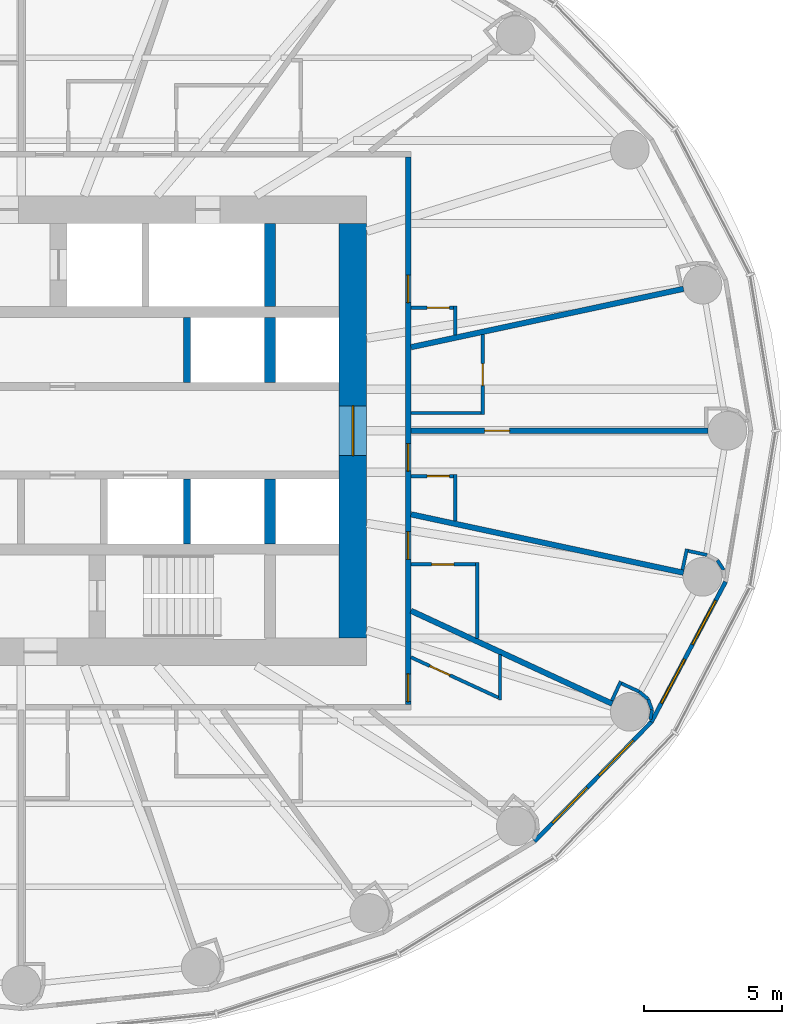
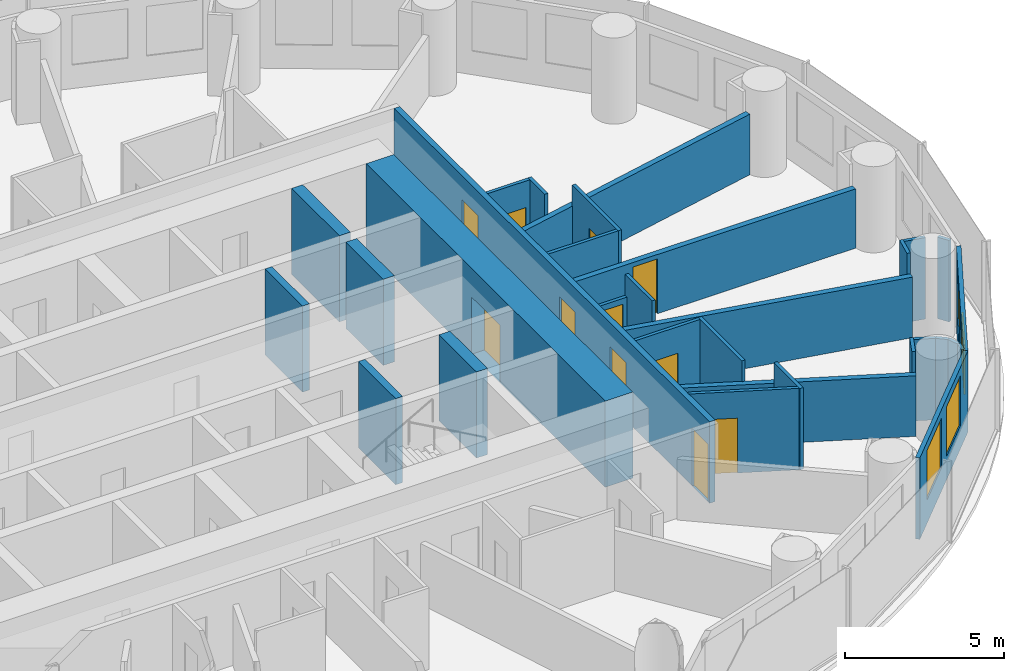
# One storey, part 10 of 14: 31 walls, 11 doors, 4 windows, 15 openings.
"""IFC4 building model written with IfcOpenShell, lengths in metres."""

from ifc_helpers import new_model, si_unit, direction, frame, frame_2d, origin, place, context, subcontext, project, spatial, rectangle, extrude, material, layer, layer_set, type_object, element, fill, save


model = new_model("IFC4")

# Units and contexts
model_context = context("Model", 3, precision=1e-05, world=origin(), true_north=direction((0.0, 1.0)))
body_context = subcontext(model_context, "Body", "Model", "MODEL_VIEW")
ifc_project = project(units=[si_unit("LENGTHUNIT", "METRE"), si_unit("AREAUNIT", "SQUARE_METRE"), si_unit("VOLUMEUNIT", "CUBIC_METRE"), si_unit("PLANEANGLEUNIT", "RADIAN"), si_unit("MASSUNIT", "GRAM", prefix="KILO")], contexts=[model_context])

# Site, building, storey
site_placement = place(None, origin())
site = spatial("IfcSite", under=ifc_project, at=site_placement, CompositionType="ELEMENT")
building_placement = place(site_placement, origin())
building = spatial("IfcBuilding", under=site, at=building_placement, Name="Hankou Lantern Tower", CompositionType="ELEMENT")
storey_placement = place(building_placement, frame((0.0, 0.0, 63.89990234375)))
storey = spatial("IfcBuildingStorey", under=building, at=storey_placement, Name="L15", CompositionType="ELEMENT", Elevation=63.89990234375)

# Wall, opening, door
ifc_material_1 = material(Name="Concrete C60", Category="concrete")
ifc_layer_1 = layer(ifc_material_1, 1.0)
ifc_layer_set_1 = layer_set([ifc_layer_1], Name="Concrete C60")
wall_type_1 = type_object("IfcWallType", Name="CW1 CORE WALL 1000", PredefinedType="SHEAR", material=ifc_layer_set_1)
wall_1_placement = place(storey_placement, frame((12.0, -7.5, 0.0), z_axis=(0.0, 0.0, 1.0), x_axis=(0.0, 1.0, 0.0)))
wall_1 = element("IfcWall", 1, at=wall_1_placement, inside=storey, type_object=wall_type_1, Name="Core wall east L15", PredefinedType="SHEAR", context=body_context, shape_type="SweptSolid", body=[
    extrude(rectangle(XDim=15.0, YDim=1.0, at=frame_2d((7.5, 0.0))), origin(), (0.0, 0.0, 1.0), 3.300048828125),
])
opening_1_placement = place(wall_1_placement, frame((6.60009765625, 0.0, 0.0)))
opening_1 = element("IfcOpeningElement", 2, at=opening_1_placement, cuts=wall_1, Name="Opening D6", PredefinedType="OPENING", context=body_context, shape_type="SweptSolid", body=[
    extrude(rectangle(XDim=1.800048828125, YDim=2.199951171875, at=frame_2d((0.89990234375, 1.10009765625))), frame((0.0, 0.510009765625, 0.0), z_axis=(0.0, -1.0, 0.0), x_axis=(1.0, 0.0, 0.0)), (0.0, 0.0, 1.0), 1.02001953125),
])
ifc_material_2 = material(Name="Steel door leaf", Category="steel")
door_type_1 = type_object("IfcDoorType", Name="D6 LIFT LOBBY DOOR 1800X2200", OperationType="DOUBLE_DOOR_DOUBLE_SWING", PredefinedType="DOOR", material=ifc_material_2)
door_1_placement = place(opening_1_placement, origin())
door_1 = element("IfcDoor", 3, at=door_1_placement, inside=storey, type_object=door_type_1, Name="Lift lobby east door", OperationType="DOUBLE_DOOR_DOUBLE_SWING", OverallHeight=2.199951171875, OverallWidth=1.800048828125, PredefinedType="DOOR", context=body_context, shape_type="SweptSolid", body=[
    extrude(rectangle(XDim=1.800048828125, YDim=2.199951171875, at=frame_2d((0.89990234375, 1.10009765625))), frame((0.0, 0.02490234375, 0.0), z_axis=(0.0, -1.0, 0.0), x_axis=(1.0, 0.0, 0.0)), (0.0, 0.0, 1.0), 0.050048828125),
])
fill(opening_1, door_1)

# Walls
ifc_material_3 = material(Name="Concrete C60", Category="concrete")
ifc_layer_2 = layer(ifc_material_3, 0.39990234375)
ifc_layer_set_2 = layer_set([ifc_layer_2], Name="Concrete C60")
wall_type_2 = type_object("IfcWallType", Name="CW4 CORE CROSS WALL 400", PredefinedType="SHEAR", material=ifc_layer_set_2)
wall_2_placement = place(storey_placement, frame((9.0, 4.5, 0.0), z_axis=(0.0, 0.0, 1.0), x_axis=(0.0, 1.0, 0.0)))
element("IfcWall", 4, at=wall_2_placement, inside=storey, type_object=wall_type_2, Name="Core strip wall L15", PredefinedType="SHEAR", context=body_context, shape_type="SweptSolid", body=[
    extrude(rectangle(XDim=3.0, YDim=0.39990234375, at=frame_2d((1.5, 0.0))), origin(), (0.0, 0.0, 1.0), 3.300048828125),
])
for number, where, z_axis, x_axis, name in (
    (5, (9.0, 1.75, 0.0), (0.0, 0.0, 1.0), (0.0, 1.0, 0.0), "Core strip wall L15"),
    (6, (9.0, -4.10009765625, 0.0), (0.0, 0.0, 1.0), (0.0, 1.0, 0.0), "Core strip wall L15"),
):
    element("IfcWall", number, at=place(storey_placement, frame(where, z_axis=z_axis, x_axis=x_axis)), inside=storey, type_object=wall_type_2, Name=name, PredefinedType="SHEAR", context=body_context, shape_type="SweptSolid", body=[
        extrude(rectangle(XDim=2.35009765625, YDim=0.39990234375, at=frame_2d((1.175048828125, 0.0))), origin(), (0.0, 0.0, 1.0), 3.300048828125),
    ])

# Wall, openings, windows
ifc_material_4 = material(Name="Aluminium spandrel panel on steel studs", Category="steel")
ifc_layer_3 = layer(ifc_material_4, 0.14990234375)
ifc_layer_set_3 = layer_set([ifc_layer_3], Name="Aluminium spandrel panel on steel studs")
wall_type_3 = type_object("IfcWallType", Name="EW1 INNER SKIN WALL 150", PredefinedType="ELEMENTEDWALL", material=ifc_layer_set_3)
wall_3_placement = place(storey_placement, frame((18.569580078125, -14.855712890625, 0.0), z_axis=(0.0, 0.0, 1.0), x_axis=(0.699602905915, 0.714531856557, 0.0)))
wall_3 = element("IfcWall", 7, at=wall_3_placement, inside=storey, type_object=wall_type_3, Name="Inner skin R22-R23 L15", PredefinedType="ELEMENTEDWALL", context=body_context, shape_type="SweptSolid", body=[
    extrude(rectangle(XDim=6.05078125, YDim=0.14990234375, at=frame_2d((3.025390625, 0.0))), origin(), (0.0, 0.0, 1.0), 3.1201171875),
])
opening_2_placement = place(wall_3_placement, frame((0.925537109375, 0.0, 0.89990234375)))
opening_2 = element("IfcOpeningElement", 8, at=opening_2_placement, cuts=wall_3, Name="Opening W1", PredefinedType="OPENING", context=body_context, shape_type="SweptSolid", body=[
    extrude(rectangle(XDim=1.800048828125, YDim=1.89990234375, at=frame_2d((0.89990234375, 0.949951171875))), frame((0.0, 0.0849609375, 0.0), z_axis=(0.0, -1.0, 0.0), x_axis=(1.0, 0.0, 0.0)), (0.0, 0.0, 1.0), 0.169921875),
])
opening_3_placement = place(wall_3_placement, frame((3.325439453125, 0.0, 0.89990234375)))
opening_3 = element("IfcOpeningElement", 9, at=opening_3_placement, cuts=wall_3, Name="Opening W1", PredefinedType="OPENING", context=body_context, shape_type="SweptSolid", body=[
    extrude(rectangle(XDim=1.800048828125, YDim=1.89990234375, at=frame_2d((0.89990234375, 0.949951171875))), frame((0.0, 0.0849609375, 0.0), z_axis=(0.0, -1.0, 0.0), x_axis=(1.0, 0.0, 0.0)), (0.0, 0.0, 1.0), 0.169921875),
])
ifc_material_5 = material(Name="Aluminium framed double glazed window", Category="aluminium")
window_type = type_object("IfcWindowType", Name="W1 GUEST ROOM WINDOW 1800X1900", PartitioningType="DOUBLE_PANEL_VERTICAL", PredefinedType="WINDOW", material=ifc_material_5)
window_1_placement = place(opening_2_placement, origin())
window_1 = element("IfcWindow", 10, at=window_1_placement, inside=storey, type_object=window_type, Name="Window R22.1 L15", OverallHeight=1.89990234375, OverallWidth=1.800048828125, PartitioningType="SINGLE_PANEL", PredefinedType="WINDOW", context=body_context, shape_type="SweptSolid", body=[
    extrude(rectangle(XDim=1.800048828125, YDim=1.89990234375, at=frame_2d((0.89990234375, 0.949951171875))), frame((0.0, 0.030029296875, 0.0), z_axis=(0.0, -1.0, 0.0), x_axis=(1.0, 0.0, 0.0)), (0.0, 0.0, 1.0), 0.06005859375),
])
fill(opening_2, window_1)
window_2_placement = place(opening_3_placement, origin())
window_2 = element("IfcWindow", 11, at=window_2_placement, inside=storey, type_object=window_type, Name="Window R22.2 L15", OverallHeight=1.89990234375, OverallWidth=1.800048828125, PartitioningType="SINGLE_PANEL", PredefinedType="WINDOW", context=body_context, shape_type="SweptSolid", body=[
    extrude(rectangle(XDim=1.800048828125, YDim=1.89990234375, at=frame_2d((0.89990234375, 0.949951171875))), frame((0.0, 0.030029296875, 0.0), z_axis=(0.0, -1.0, 0.0), x_axis=(1.0, 0.0, 0.0)), (0.0, 0.0, 1.0), 0.06005859375),
])
fill(opening_3, window_2)

wall_4_placement = place(storey_placement, frame((22.802734375, -10.5322265625, 0.0), z_axis=(0.0, 0.0, 1.0), x_axis=(0.467296867008, 0.884100468321, 0.0)))
wall_4 = element("IfcWall", 12, at=wall_4_placement, inside=storey, type_object=wall_type_3, Name="Inner skin R23-R24 L15", PredefinedType="ELEMENTEDWALL", context=body_context, shape_type="SweptSolid", body=[
    extrude(rectangle(XDim=5.734375, YDim=0.14990234375, at=frame_2d((2.8671875, 0.0))), origin(), (0.0, 0.0, 1.0), 3.1201171875),
])
opening_4_placement = place(wall_4_placement, frame((0.76708984375, 0.0, 0.89990234375)))
opening_4 = element("IfcOpeningElement", 13, at=opening_4_placement, cuts=wall_4, Name="Opening W1", PredefinedType="OPENING", context=body_context, shape_type="SweptSolid", body=[
    extrude(rectangle(XDim=1.800048828125, YDim=1.89990234375, at=frame_2d((0.89990234375, 0.949951171875))), frame((0.0, 0.0849609375, 0.0), z_axis=(0.0, -1.0, 0.0), x_axis=(1.0, 0.0, 0.0)), (0.0, 0.0, 1.0), 0.169921875),
])
opening_5_placement = place(wall_4_placement, frame((3.167236328125, 0.0, 0.89990234375)))
opening_5 = element("IfcOpeningElement", 14, at=opening_5_placement, cuts=wall_4, Name="Opening W1", PredefinedType="OPENING", context=body_context, shape_type="SweptSolid", body=[
    extrude(rectangle(XDim=1.800048828125, YDim=1.89990234375, at=frame_2d((0.89990234375, 0.949951171875))), frame((0.0, 0.0849609375, 0.0), z_axis=(0.0, -1.0, 0.0), x_axis=(1.0, 0.0, 0.0)), (0.0, 0.0, 1.0), 0.169921875),
])
window_3_placement = place(opening_4_placement, origin())
window_3 = element("IfcWindow", 15, at=window_3_placement, inside=storey, type_object=window_type, Name="Window R23.1 L15", OverallHeight=1.89990234375, OverallWidth=1.800048828125, PartitioningType="SINGLE_PANEL", PredefinedType="WINDOW", context=body_context, shape_type="SweptSolid", body=[
    extrude(rectangle(XDim=1.800048828125, YDim=1.89990234375, at=frame_2d((0.89990234375, 0.949951171875))), frame((0.0, 0.030029296875, 0.0), z_axis=(0.0, -1.0, 0.0), x_axis=(1.0, 0.0, 0.0)), (0.0, 0.0, 1.0), 0.06005859375),
])
fill(opening_4, window_3)
window_4_placement = place(opening_5_placement, origin())
window_4 = element("IfcWindow", 16, at=window_4_placement, inside=storey, type_object=window_type, Name="Window R23.2 L15", OverallHeight=1.89990234375, OverallWidth=1.800048828125, PartitioningType="SINGLE_PANEL", PredefinedType="WINDOW", context=body_context, shape_type="SweptSolid", body=[
    extrude(rectangle(XDim=1.800048828125, YDim=1.89990234375, at=frame_2d((0.89990234375, 0.949951171875))), frame((0.0, 0.030029296875, 0.0), z_axis=(0.0, -1.0, 0.0), x_axis=(1.0, 0.0, 0.0)), (0.0, 0.0, 1.0), 0.06005859375),
])
fill(opening_5, window_4)

# Walls
ifc_material_6 = material(Name="Masonry lightweight concrete block", Category="masonry")
ifc_layer_4 = layer(ifc_material_6, 0.199951171875)
ifc_layer_set_4 = layer_set([ifc_layer_4], Name="Masonry lightweight concrete block")
wall_type_4 = type_object("IfcWallType", Name="IW1 GUEST ROOM PARTY WALL 200", PredefinedType="PARTITIONING", material=ifc_layer_set_4)
wall_5_placement = place(storey_placement, frame((14.10009765625, 3.0224609375, 0.0), z_axis=(0.0, 0.0, 1.0), x_axis=(0.977790014929, 0.209586943072, 0.0)))
element("IfcWall", 17, at=wall_5_placement, inside=storey, type_object=wall_type_4, Name="Party wall R02", PredefinedType="PARTITIONING", context=body_context, shape_type="SweptSolid", body=[
    extrude(rectangle(XDim=10.086669921875, YDim=0.199951171875, at=frame_2d((5.04345703125, 0.0))), origin(), (0.0, 0.0, 1.0), 2.320068359375),
])
wall_6_placement = place(storey_placement, frame((14.10009765625, -6.512451171875, 0.0), z_axis=(0.0, 0.0, 1.0), x_axis=(0.907832871056, -0.419332181247, 0.0)))
element("IfcWall", 18, at=wall_6_placement, inside=storey, type_object=wall_type_4, Name="Party wall R23", PredefinedType="PARTITIONING", context=body_context, shape_type="SweptSolid", body=[
    extrude(rectangle(XDim=8.02294921875, YDim=0.199951171875, at=frame_2d((4.011474609375, 0.0))), origin(), (0.0, 0.0, 1.0), 2.320068359375),
])
wall_7_placement = place(storey_placement, frame((14.10009765625, -3.0224609375, 0.0), z_axis=(0.0, 0.0, 1.0), x_axis=(0.977790014929, -0.209586943072, 0.0)))
element("IfcWall", 19, at=wall_7_placement, inside=storey, type_object=wall_type_4, Name="Party wall R24", PredefinedType="PARTITIONING", context=body_context, shape_type="SweptSolid", body=[
    extrude(rectangle(XDim=10.086669921875, YDim=0.199951171875, at=frame_2d((5.04345703125, 0.0))), origin(), (0.0, 0.0, 1.0), 2.320068359375),
])

# Wall, openings, doors
ifc_material_7 = material(Name="Masonry lightweight concrete block", Category="masonry")
ifc_layer_5 = layer(ifc_material_7, 0.199951171875)
ifc_layer_set_5 = layer_set([ifc_layer_5], Name="Masonry lightweight concrete block")
wall_type_5 = type_object("IfcWallType", Name="IW2 CORRIDOR WALL 200", PredefinedType="PARTITIONING", material=ifc_layer_set_5)
wall_8_placement = place(storey_placement, frame((14.0, -9.89990234375, 0.0), z_axis=(0.0, 0.0, 1.0), x_axis=(0.0, 1.0, 0.0)))
wall_8 = element("IfcWall", 20, at=wall_8_placement, inside=storey, type_object=wall_type_5, Name="Corridor wall east", PredefinedType="PARTITIONING", context=body_context, shape_type="SweptSolid", body=[
    extrude(rectangle(XDim=19.7998046875, YDim=0.199951171875, at=frame_2d((9.89990234375, 0.0))), origin(), (0.0, 0.0, 1.0), 3.1201171875),
])
opening_6_placement = place(wall_8_placement, frame((0.1025390625, 0.0, 0.0)))
opening_6 = element("IfcOpeningElement", 21, at=opening_6_placement, cuts=wall_8, Name="Opening D1", PredefinedType="OPENING", context=body_context, shape_type="SweptSolid", body=[
    extrude(rectangle(XDim=1.0, YDim=2.199951171875, at=frame_2d((0.5, 1.10009765625))), frame((0.0, 0.10986328125, 0.0), z_axis=(0.0, -1.0, 0.0), x_axis=(1.0, 0.0, 0.0)), (0.0, 0.0, 1.0), 0.219970703125),
])
opening_7_placement = place(wall_8_placement, frame((5.24755859375, 0.0, 0.0)))
opening_7 = element("IfcOpeningElement", 22, at=opening_7_placement, cuts=wall_8, Name="Opening D1", PredefinedType="OPENING", context=body_context, shape_type="SweptSolid", body=[
    extrude(rectangle(XDim=1.0, YDim=2.199951171875, at=frame_2d((0.5, 1.10009765625))), frame((0.0, 0.10986328125, 0.0), z_axis=(0.0, -1.0, 0.0), x_axis=(1.0, 0.0, 0.0)), (0.0, 0.0, 1.0), 0.219970703125),
])
opening_8_placement = place(wall_8_placement, frame((8.4375, 0.0, 0.0)))
opening_8 = element("IfcOpeningElement", 23, at=opening_8_placement, cuts=wall_8, Name="Opening D2", PredefinedType="OPENING", context=body_context, shape_type="SweptSolid", body=[
    extrude(rectangle(XDim=1.0, YDim=2.199951171875, at=frame_2d((0.5, 1.10009765625))), frame((0.0, 0.10986328125, 0.0), z_axis=(0.0, -1.0, 0.0), x_axis=(1.0, 0.0, 0.0)), (0.0, 0.0, 1.0), 0.219970703125),
])
opening_9_placement = place(wall_8_placement, frame((14.532470703125, 0.0, 0.0)))
opening_9 = element("IfcOpeningElement", 24, at=opening_9_placement, cuts=wall_8, Name="Opening D2", PredefinedType="OPENING", context=body_context, shape_type="SweptSolid", body=[
    extrude(rectangle(XDim=1.0, YDim=2.199951171875, at=frame_2d((0.5, 1.10009765625))), frame((0.0, 0.10986328125, 0.0), z_axis=(0.0, -1.0, 0.0), x_axis=(1.0, 0.0, 0.0)), (0.0, 0.0, 1.0), 0.219970703125),
])
ifc_material_8 = material(Name="Steel door leaf", Category="steel")
door_type_2 = type_object("IfcDoorType", Name="D1 GUEST ROOM DOOR 1000X2200", OperationType="SINGLE_SWING_LEFT", PredefinedType="DOOR", material=ifc_material_8)
door_2_placement = place(opening_6_placement, origin())
door_2 = element("IfcDoor", 25, at=door_2_placement, inside=storey, type_object=door_type_2, Name="Guest room door 1501", OperationType="SINGLE_SWING_LEFT", OverallHeight=2.199951171875, OverallWidth=1.0, PredefinedType="DOOR", context=body_context, shape_type="SweptSolid", body=[
    extrude(rectangle(XDim=1.0, YDim=2.199951171875, at=frame_2d((0.5, 1.10009765625))), frame((0.0, 0.02490234375, 0.0), z_axis=(0.0, -1.0, 0.0), x_axis=(1.0, 0.0, 0.0)), (0.0, 0.0, 1.0), 0.050048828125),
])
fill(opening_6, door_2)
door_3_placement = place(opening_7_placement, origin())
door_3 = element("IfcDoor", 26, at=door_3_placement, inside=storey, type_object=door_type_2, Name="Guest room door 1502", OperationType="SINGLE_SWING_LEFT", OverallHeight=2.199951171875, OverallWidth=1.0, PredefinedType="DOOR", context=body_context, shape_type="SweptSolid", body=[
    extrude(rectangle(XDim=1.0, YDim=2.199951171875, at=frame_2d((0.5, 1.10009765625))), frame((0.0, 0.02490234375, 0.0), z_axis=(0.0, -1.0, 0.0), x_axis=(1.0, 0.0, 0.0)), (0.0, 0.0, 1.0), 0.050048828125),
])
fill(opening_7, door_3)
ifc_material_9 = material(Name="Steel door leaf", Category="steel")
door_type_3 = type_object("IfcDoorType", Name="D2 SUITE DOOR 1000X2200", OperationType="SINGLE_SWING_LEFT", PredefinedType="DOOR", material=ifc_material_9)
door_4_placement = place(opening_8_placement, origin())
door_4 = element("IfcDoor", 27, at=door_4_placement, inside=storey, type_object=door_type_3, Name="Suite door 1503C", OperationType="SINGLE_SWING_LEFT", OverallHeight=2.199951171875, OverallWidth=1.0, PredefinedType="DOOR", context=body_context, shape_type="SweptSolid", body=[
    extrude(rectangle(XDim=1.0, YDim=2.199951171875, at=frame_2d((0.5, 1.10009765625))), frame((0.0, 0.02490234375, 0.0), z_axis=(0.0, -1.0, 0.0), x_axis=(1.0, 0.0, 0.0)), (0.0, 0.0, 1.0), 0.050048828125),
])
fill(opening_8, door_4)
door_5_placement = place(opening_9_placement, origin())
door_5 = element("IfcDoor", 28, at=door_5_placement, inside=storey, type_object=door_type_3, Name="Suite door 1504C", OperationType="SINGLE_SWING_RIGHT", OverallHeight=2.199951171875, OverallWidth=1.0, PredefinedType="DOOR", context=body_context, shape_type="SweptSolid", body=[
    extrude(rectangle(XDim=1.0, YDim=2.199951171875, at=frame_2d((0.5, 1.10009765625))), frame((0.0, 0.02490234375, 0.0), z_axis=(0.0, -1.0, 0.0), x_axis=(1.0, 0.0, 0.0)), (0.0, 0.0, 1.0), 0.050048828125),
])
fill(opening_9, door_5)

# Wall
ifc_material_10 = material(Name="Masonry lightweight concrete block", Category="masonry")
ifc_layer_6 = layer(ifc_material_10, 0.1201171875)
ifc_layer_set_6 = layer_set([ifc_layer_6], Name="Masonry lightweight concrete block")
wall_type_6 = type_object("IfcWallType", Name="IW3 BATHROOM WALL 120", PredefinedType="PARTITIONING", material=ifc_layer_set_6)
wall_9_placement = place(storey_placement, frame((17.32275390625, -8.10107421875, 0.0), z_axis=(0.0, 0.0, 1.0), x_axis=(0.0, -1.0, 0.0)))
element("IfcWall", 29, at=wall_9_placement, inside=storey, type_object=wall_type_6, Name="Box wall 1501 1", PredefinedType="PARTITIONING", context=body_context, shape_type="SweptSolid", body=[
    extrude(rectangle(XDim=1.639892578125, YDim=0.1201171875, at=frame_2d((0.81982421875, 0.0))), origin(), (0.0, 0.0, 1.0), 3.1201171875),
])

# Wall, opening, door
wall_10_placement = place(storey_placement, frame((14.10009765625, -8.192626953125, 0.0), z_axis=(0.0, 0.0, 1.0), x_axis=(0.907836493557, -0.419324338628, 0.0)))
wall_10 = element("IfcWall", 30, at=wall_10_placement, inside=storey, type_object=wall_type_6, Name="Box wall 1501 1", PredefinedType="PARTITIONING", context=body_context, shape_type="SweptSolid", body=[
    extrude(rectangle(XDim=3.48974609375, YDim=0.1201171875, at=frame_2d((1.744873046875, 0.0))), origin(), (0.0, 0.0, 1.0), 3.1201171875),
])
opening_10_placement = place(wall_10_placement, frame((0.75, 0.0, 0.0)))
opening_10 = element("IfcOpeningElement", 31, at=opening_10_placement, cuts=wall_10, Name="Opening D3", PredefinedType="OPENING", context=body_context, shape_type="SweptSolid", body=[
    extrude(rectangle(XDim=0.800048828125, YDim=2.10009765625, at=frame_2d((0.39990234375, 1.050048828125))), frame((0.0, 0.070068359375, 0.0), z_axis=(0.0, -1.0, 0.0), x_axis=(1.0, 0.0, 0.0)), (0.0, 0.0, 1.0), 0.14013671875),
])
ifc_material_11 = material(Name="Timber door leaf", Category="wood")
door_type_4 = type_object("IfcDoorType", Name="D3 BATHROOM DOOR 800X2100", OperationType="SINGLE_SWING_LEFT", PredefinedType="DOOR", material=ifc_material_11)
door_6_placement = place(opening_10_placement, origin())
door_6 = element("IfcDoor", 32, at=door_6_placement, inside=storey, type_object=door_type_4, Name="En-suite bathroom 1501 door", OperationType="SINGLE_SWING_LEFT", OverallHeight=2.10009765625, OverallWidth=0.800048828125, PredefinedType="DOOR", context=body_context, shape_type="SweptSolid", body=[
    extrude(rectangle(XDim=0.800048828125, YDim=2.10009765625, at=frame_2d((0.39990234375, 1.050048828125))), frame((0.0, 0.02490234375, 0.0), z_axis=(0.0, -1.0, 0.0), x_axis=(1.0, 0.0, 0.0)), (0.0, 0.0, 1.0), 0.050048828125),
])
fill(opening_10, door_6)

# Wall
wall_11_placement = place(storey_placement, frame((16.5, -7.52099609375, 0.0), z_axis=(0.0, 0.0, 1.0), x_axis=(0.0, 1.0, 0.0)))
element("IfcWall", 33, at=wall_11_placement, inside=storey, type_object=wall_type_6, Name="Box wall 1502 1", PredefinedType="PARTITIONING", context=body_context, shape_type="SweptSolid", body=[
    extrude(rectangle(XDim=2.74853515625, YDim=0.1201171875, at=frame_2d((1.374267578125, 0.0))), origin(), (0.0, 0.0, 1.0), 3.1201171875),
])

# Wall, opening, door
wall_12_placement = place(storey_placement, frame((14.10009765625, -4.83251953125, 0.0), z_axis=(0.0, 0.0, 1.0), x_axis=(1.0, 0.0, 0.0)))
wall_12 = element("IfcWall", 34, at=wall_12_placement, inside=storey, type_object=wall_type_6, Name="Box wall 1502 1", PredefinedType="PARTITIONING", context=body_context, shape_type="SweptSolid", body=[
    extrude(rectangle(XDim=2.33984375, YDim=0.1201171875, at=frame_2d((1.169921875, 0.0))), origin(), (0.0, 0.0, 1.0), 3.1201171875),
])
opening_11_placement = place(wall_12_placement, frame((0.75, 0.0, 0.0)))
opening_11 = element("IfcOpeningElement", 35, at=opening_11_placement, cuts=wall_12, Name="Opening D3", PredefinedType="OPENING", context=body_context, shape_type="SweptSolid", body=[
    extrude(rectangle(XDim=0.800048828125, YDim=2.10009765625, at=frame_2d((0.39990234375, 1.050048828125))), frame((0.0, 0.070068359375, 0.0), z_axis=(0.0, -1.0, 0.0), x_axis=(1.0, 0.0, 0.0)), (0.0, 0.0, 1.0), 0.14013671875),
])
door_7_placement = place(opening_11_placement, origin())
door_7 = element("IfcDoor", 36, at=door_7_placement, inside=storey, type_object=door_type_4, Name="En-suite bathroom 1502 door", OperationType="SINGLE_SWING_LEFT", OverallHeight=2.10009765625, OverallWidth=0.800048828125, PredefinedType="DOOR", context=body_context, shape_type="SweptSolid", body=[
    extrude(rectangle(XDim=0.800048828125, YDim=2.10009765625, at=frame_2d((0.39990234375, 1.050048828125))), frame((0.0, 0.02490234375, 0.0), z_axis=(0.0, -1.0, 0.0), x_axis=(1.0, 0.0, 0.0)), (0.0, 0.0, 1.0), 0.050048828125),
])
fill(opening_11, door_7)

# Wall
wall_13_placement = place(storey_placement, frame((15.699951171875, -3.265380859375, 0.0), z_axis=(0.0, 0.0, 1.0), x_axis=(0.0, 1.0, 0.0)))
element("IfcWall", 37, at=wall_13_placement, inside=storey, type_object=wall_type_6, Name="Box wall 1503C 1", PredefinedType="PARTITIONING", context=body_context, shape_type="SweptSolid", body=[
    extrude(rectangle(XDim=1.682861328125, YDim=0.1201171875, at=frame_2d((0.84130859375, 0.0))), origin(), (0.0, 0.0, 1.0), 3.1201171875),
])

# Wall, opening, door
wall_14_placement = place(storey_placement, frame((14.10009765625, -1.642578125, 0.0), z_axis=(0.0, 0.0, 1.0), x_axis=(1.0, 0.0, 0.0)))
wall_14 = element("IfcWall", 38, at=wall_14_placement, inside=storey, type_object=wall_type_6, Name="Box wall 1503C 1", PredefinedType="PARTITIONING", context=body_context, shape_type="SweptSolid", body=[
    extrude(rectangle(XDim=1.539794921875, YDim=0.1201171875, at=frame_2d((0.77001953125, 0.0))), origin(), (0.0, 0.0, 1.0), 2.320068359375),
])
opening_12_placement = place(wall_14_placement, frame((0.590087890625, 0.0, 0.0)))
opening_12 = element("IfcOpeningElement", 39, at=opening_12_placement, cuts=wall_14, Name="Opening D3", PredefinedType="OPENING", context=body_context, shape_type="SweptSolid", body=[
    extrude(rectangle(XDim=0.800048828125, YDim=2.10009765625, at=frame_2d((0.39990234375, 1.050048828125))), frame((0.0, 0.070068359375, 0.0), z_axis=(0.0, -1.0, 0.0), x_axis=(1.0, 0.0, 0.0)), (0.0, 0.0, 1.0), 0.14013671875),
])
door_8_placement = place(opening_12_placement, origin())
door_8 = element("IfcDoor", 40, at=door_8_placement, inside=storey, type_object=door_type_4, Name="Suite 1503 guest WC door", OperationType="SINGLE_SWING_LEFT", OverallHeight=2.10009765625, OverallWidth=0.800048828125, PredefinedType="DOOR", context=body_context, shape_type="SweptSolid", body=[
    extrude(rectangle(XDim=0.800048828125, YDim=2.10009765625, at=frame_2d((0.39990234375, 1.050048828125))), frame((0.0, 0.02490234375, 0.0), z_axis=(0.0, -1.0, 0.0), x_axis=(1.0, 0.0, 0.0)), (0.0, 0.0, 1.0), 0.050048828125),
])
fill(opening_12, door_8)

wall_15_placement = place(storey_placement, frame((16.699951171875, 3.479736328125, 0.0), z_axis=(0.0, 0.0, 1.0), x_axis=(0.0, -1.0, 0.0)))
wall_15 = element("IfcWall", 41, at=wall_15_placement, inside=storey, type_object=wall_type_6, Name="Box wall 1503A 1", PredefinedType="PARTITIONING", context=body_context, shape_type="SweptSolid", body=[
    extrude(rectangle(XDim=2.897216796875, YDim=0.1201171875, at=frame_2d((1.44873046875, 0.0))), origin(), (0.0, 0.0, 1.0), 3.1201171875),
])
opening_13_placement = place(wall_15_placement, frame((1.048583984375, 0.0, 0.0)))
opening_13 = element("IfcOpeningElement", 42, at=opening_13_placement, cuts=wall_15, Name="Opening D3", PredefinedType="OPENING", context=body_context, shape_type="SweptSolid", body=[
    extrude(rectangle(XDim=0.800048828125, YDim=2.10009765625, at=frame_2d((0.39990234375, 1.050048828125))), frame((0.0, 0.070068359375, 0.0), z_axis=(0.0, -1.0, 0.0), x_axis=(1.0, 0.0, 0.0)), (0.0, 0.0, 1.0), 0.14013671875),
])
door_9_placement = place(opening_13_placement, origin())
door_9 = element("IfcDoor", 43, at=door_9_placement, inside=storey, type_object=door_type_4, Name="Suite 1503 bathroom door", OperationType="SINGLE_SWING_LEFT", OverallHeight=2.10009765625, OverallWidth=0.800048828125, PredefinedType="DOOR", context=body_context, shape_type="SweptSolid", body=[
    extrude(rectangle(XDim=0.800048828125, YDim=2.10009765625, at=frame_2d((0.39990234375, 1.050048828125))), frame((0.0, 0.02490234375, 0.0), z_axis=(0.0, -1.0, 0.0), x_axis=(1.0, 0.0, 0.0)), (0.0, 0.0, 1.0), 0.050048828125),
])
fill(opening_13, door_9)

# Walls
wall_16_placement = place(storey_placement, frame((14.10009765625, 0.642578125, 0.0), z_axis=(0.0, 0.0, 1.0), x_axis=(1.0, 0.0, 0.0)))
element("IfcWall", 44, at=wall_16_placement, inside=storey, type_object=wall_type_6, Name="Box wall 1503A 1", PredefinedType="PARTITIONING", context=body_context, shape_type="SweptSolid", body=[
    extrude(rectangle(XDim=2.539794921875, YDim=0.1201171875, at=frame_2d((1.27001953125, 0.0))), origin(), (0.0, 0.0, 1.0), 3.1201171875),
])
wall_17_placement = place(storey_placement, frame((15.699951171875, 3.46533203125, 0.0), z_axis=(0.0, 0.0, 1.0), x_axis=(0.0, 1.0, 0.0)))
element("IfcWall", 45, at=wall_17_placement, inside=storey, type_object=wall_type_6, Name="Box wall 1504C 1", PredefinedType="PARTITIONING", context=body_context, shape_type="SweptSolid", body=[
    extrude(rectangle(XDim=1.047119140625, YDim=0.1201171875, at=frame_2d((0.5234375, 0.0))), origin(), (0.0, 0.0, 1.0), 3.1201171875),
])

# Wall, opening, door
wall_18_placement = place(storey_placement, frame((14.10009765625, 4.452392578125, 0.0), z_axis=(0.0, 0.0, 1.0), x_axis=(1.0, 0.0, 0.0)))
wall_18 = element("IfcWall", 46, at=wall_18_placement, inside=storey, type_object=wall_type_6, Name="Box wall 1504C 1", PredefinedType="PARTITIONING", context=body_context, shape_type="SweptSolid", body=[
    extrude(rectangle(XDim=1.539794921875, YDim=0.1201171875, at=frame_2d((0.77001953125, 0.0))), origin(), (0.0, 0.0, 1.0), 3.1201171875),
])
opening_14_placement = place(wall_18_placement, frame((0.590087890625, 0.0, 0.0)))
opening_14 = element("IfcOpeningElement", 47, at=opening_14_placement, cuts=wall_18, Name="Opening D3", PredefinedType="OPENING", context=body_context, shape_type="SweptSolid", body=[
    extrude(rectangle(XDim=0.800048828125, YDim=2.10009765625, at=frame_2d((0.39990234375, 1.050048828125))), frame((0.0, 0.070068359375, 0.0), z_axis=(0.0, -1.0, 0.0), x_axis=(1.0, 0.0, 0.0)), (0.0, 0.0, 1.0), 0.14013671875),
])
door_10_placement = place(opening_14_placement, origin())
door_10 = element("IfcDoor", 48, at=door_10_placement, inside=storey, type_object=door_type_4, Name="Corner suite 1504 guest WC door", OperationType="SINGLE_SWING_LEFT", OverallHeight=2.10009765625, OverallWidth=0.800048828125, PredefinedType="DOOR", context=body_context, shape_type="SweptSolid", body=[
    extrude(rectangle(XDim=0.800048828125, YDim=2.10009765625, at=frame_2d((0.39990234375, 1.050048828125))), frame((0.0, 0.02490234375, 0.0), z_axis=(0.0, -1.0, 0.0), x_axis=(1.0, 0.0, 0.0)), (0.0, 0.0, 1.0), 0.050048828125),
])
fill(opening_14, door_10)

# Walls
ifc_material_12 = material(Name="Masonry lightweight concrete block", Category="masonry")
ifc_layer_7 = layer(ifc_material_12, 0.1201171875)
ifc_layer_set_7 = layer_set([ifc_layer_7], Name="Masonry lightweight concrete block")
wall_type_7 = type_object("IfcWallType", Name="IW4 PARTITION 120", PredefinedType="PARTITIONING", material=ifc_layer_set_7)
wall_19_placement = place(storey_placement, frame((21.37109375, -9.7607421875, 0.0), z_axis=(0.0, 0.0, 1.0), x_axis=(0.419259891039, 0.907866258744, 0.0)))
element("IfcWall", 49, at=wall_19_placement, inside=storey, type_object=wall_type_7, Name="Column casing R23 return", PredefinedType="PARTITIONING", context=body_context, shape_type="SweptSolid", body=[
    extrude(rectangle(XDim=0.767578125, YDim=0.1201171875, at=frame_2d((0.3837890625, 0.0))), origin(), (0.0, 0.0, 1.0), 3.1201171875),
])
wall_20_placement = place(storey_placement, frame((21.72216796875, -9.1435546875, 0.0), z_axis=(0.0, 0.0, 1.0), x_axis=(0.907877701396, -0.419235112208, 0.0)))
element("IfcWall", 50, at=wall_20_placement, inside=storey, type_object=wall_type_7, Name="Column casing R23", PredefinedType="PARTITIONING", context=body_context, shape_type="SweptSolid", body=[
    extrude(rectangle(XDim=0.699951171875, YDim=0.1201171875, at=frame_2d((0.35009765625, 0.0))), origin(), (0.0, 0.0, 1.0), 3.1201171875),
])
wall_21_placement = place(storey_placement, frame((22.357666015625, -9.43701171875, 0.0), z_axis=(0.0, 0.0, 1.0), x_axis=(0.768412687942, -0.639954639806, 0.0)))
element("IfcWall", 51, at=wall_21_placement, inside=storey, type_object=wall_type_7, Name="Column casing R23", PredefinedType="PARTITIONING", context=body_context, shape_type="SweptSolid", body=[
    extrude(rectangle(XDim=0.418212890625, YDim=0.1201171875, at=frame_2d((0.208984375, 0.0))), origin(), (0.0, 0.0, 1.0), 3.1201171875),
])
wall_22_placement = place(storey_placement, frame((22.678955078125, -9.70458984375, 0.0), z_axis=(0.0, 0.0, 1.0), x_axis=(0.345164001646, -0.938542386879, 0.0)))
element("IfcWall", 52, at=wall_22_placement, inside=storey, type_object=wall_type_7, Name="Column casing R23", PredefinedType="PARTITIONING", context=body_context, shape_type="SweptSolid", body=[
    extrude(rectangle(XDim=0.41796875, YDim=0.1201171875, at=frame_2d((0.208984375, 0.0))), origin(), (0.0, 0.0, 1.0), 3.1201171875),
])
wall_23_placement = place(storey_placement, frame((22.8232421875, -10.096923828125, 0.0), z_axis=(0.0, 0.0, 1.0), x_axis=(-0.169674995186, -0.985500074079, 0.0)))
element("IfcWall", 53, at=wall_23_placement, inside=storey, type_object=wall_type_7, Name="Column casing R23", PredefinedType="PARTITIONING", context=body_context, shape_type="SweptSolid", body=[
    extrude(rectangle(XDim=0.3525390625, YDim=0.1201171875, at=frame_2d((0.17626953125, 0.0))), origin(), (0.0, 0.0, 1.0), 3.1201171875),
])
wall_24_placement = place(storey_placement, frame((23.9248046875, -5.026123046875, 0.0), z_axis=(0.0, 0.0, 1.0), x_axis=(0.209681192172, 0.977769808109, 0.0)))
element("IfcWall", 54, at=wall_24_placement, inside=storey, type_object=wall_type_7, Name="Column casing R24 return", PredefinedType="PARTITIONING", context=body_context, shape_type="SweptSolid", body=[
    extrude(rectangle(XDim=0.767333984375, YDim=0.1201171875, at=frame_2d((0.3837890625, 0.0))), origin(), (0.0, 0.0, 1.0), 3.1201171875),
])
wall_25_placement = place(storey_placement, frame((24.1318359375, -4.346923828125, 0.0), z_axis=(0.0, 0.0, 1.0), x_axis=(0.977776882509, -0.209648200638, 0.0)))
element("IfcWall", 55, at=wall_25_placement, inside=storey, type_object=wall_type_7, Name="Column casing R24", PredefinedType="PARTITIONING", context=body_context, shape_type="SweptSolid", body=[
    extrude(rectangle(XDim=0.699951171875, YDim=0.1201171875, at=frame_2d((0.35009765625, 0.0))), origin(), (0.0, 0.0, 1.0), 3.1201171875),
])
wall_26_placement = place(storey_placement, frame((25.1884765625, -4.68408203125, 0.0), z_axis=(0.0, 0.0, 1.0), x_axis=(0.543057568894, -0.839695466742, 0.0)))
element("IfcWall", 56, at=wall_26_placement, inside=storey, type_object=wall_type_7, Name="Column casing R24", PredefinedType="PARTITIONING", context=body_context, shape_type="SweptSolid", body=[
    extrude(rectangle(XDim=0.418212890625, YDim=0.1201171875, at=frame_2d((0.208984375, 0.0))), origin(), (0.0, 0.0, 1.0), 3.1201171875),
])

# Wall, opening, door
ifc_material_13 = material(Name="Masonry lightweight concrete block", Category="masonry")
ifc_layer_8 = layer(ifc_material_13, 0.199951171875)
ifc_layer_set_8 = layer_set([ifc_layer_8], Name="Masonry lightweight concrete block")
wall_type_8 = type_object("IfcWallType", Name="IW6 SUITE PARTITION 200", PredefinedType="PARTITIONING", material=ifc_layer_set_8)
wall_27_placement = place(storey_placement, frame((14.10009765625, 0.0, 0.0), z_axis=(0.0, 0.0, 1.0), x_axis=(1.0, 0.0, 0.0)))
wall_27 = element("IfcWall", 57, at=wall_27_placement, inside=storey, type_object=wall_type_8, Name="Suite partition R01", PredefinedType="PARTITIONING", context=body_context, shape_type="SweptSolid", body=[
    extrude(rectangle(XDim=10.75, YDim=0.199951171875, at=frame_2d((5.375, 0.0))), origin(), (0.0, 0.0, 1.0), 2.27001953125),
])
opening_15_placement = place(wall_27_placement, frame((2.669921875, 0.0, 0.0)))
opening_15 = element("IfcOpeningElement", 58, at=opening_15_placement, cuts=wall_27, Name="Opening D27", PredefinedType="OPENING", context=body_context, shape_type="SweptSolid", body=[
    extrude(rectangle(XDim=0.89990234375, YDim=2.10009765625, at=frame_2d((0.449951171875, 1.050048828125))), frame((0.0, 0.10986328125, 0.0), z_axis=(0.0, -1.0, 0.0), x_axis=(1.0, 0.0, 0.0)), (0.0, 0.0, 1.0), 0.219970703125),
])
ifc_material_14 = material(Name="Timber door leaf", Category="wood")
door_type_5 = type_object("IfcDoorType", Name="D27 INTERNAL DOOR 900X2100", OperationType="SINGLE_SWING_LEFT", PredefinedType="DOOR", material=ifc_material_14)
door_11_placement = place(opening_15_placement, origin())
door_11 = element("IfcDoor", 59, at=door_11_placement, inside=storey, type_object=door_type_5, Name="Suite 1503 bedroom door", OperationType="SINGLE_SWING_LEFT", OverallHeight=2.10009765625, OverallWidth=0.89990234375, PredefinedType="DOOR", context=body_context, shape_type="SweptSolid", body=[
    extrude(rectangle(XDim=0.89990234375, YDim=2.10009765625, at=frame_2d((0.449951171875, 1.050048828125))), frame((0.0, 0.02490234375, 0.0), z_axis=(0.0, -1.0, 0.0), x_axis=(1.0, 0.0, 0.0)), (0.0, 0.0, 1.0), 0.050048828125),
])
fill(opening_15, door_11)

# Walls
ifc_material_15 = material(Name="Masonry autoclaved aerated concrete block", Category="masonry")
ifc_layer_9 = layer(ifc_material_15, 0.25)
ifc_layer_set_9 = layer_set([ifc_layer_9], Name="Masonry autoclaved aerated concrete block")
wall_type_9 = type_object("IfcWallType", Name="SW1 SHAFT BLOCK WALL 250", PredefinedType="PARTITIONING", material=ifc_layer_set_9)
for number, where, z_axis, x_axis, name in (
    (60, (6.0, 1.75, 0.0), (0.0, 0.0, 1.0), (0.0, 1.0, 0.0), "Lift shaft wall L15"),
    (61, (6.0, -4.10009765625, 0.0), (0.0, 0.0, 1.0), (0.0, 1.0, 0.0), "Lift shaft wall L15"),
):
    element("IfcWall", number, at=place(storey_placement, frame(where, z_axis=z_axis, x_axis=x_axis)), inside=storey, type_object=wall_type_9, Name=name, PredefinedType="PARTITIONING", context=body_context, shape_type="SweptSolid", body=[
        extrude(rectangle(XDim=2.35009765625, YDim=0.25, at=frame_2d((1.175048828125, 0.0))), origin(), (0.0, 0.0, 1.0), 3.300048828125),
    ])

save(model, "model.ifc")
